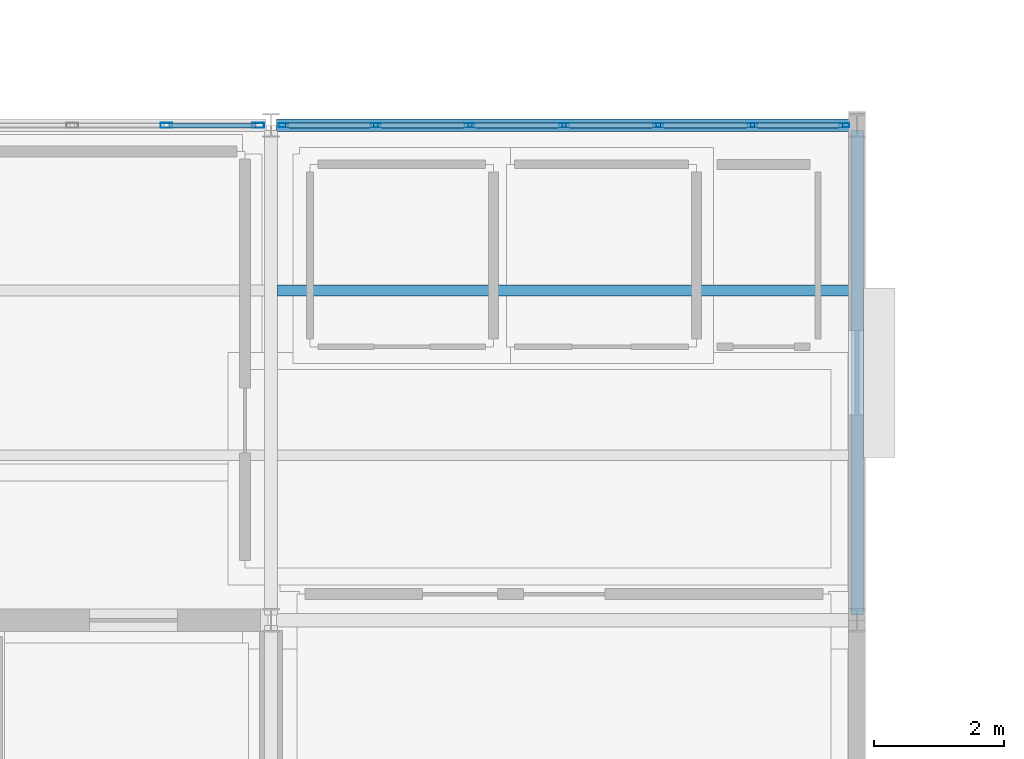
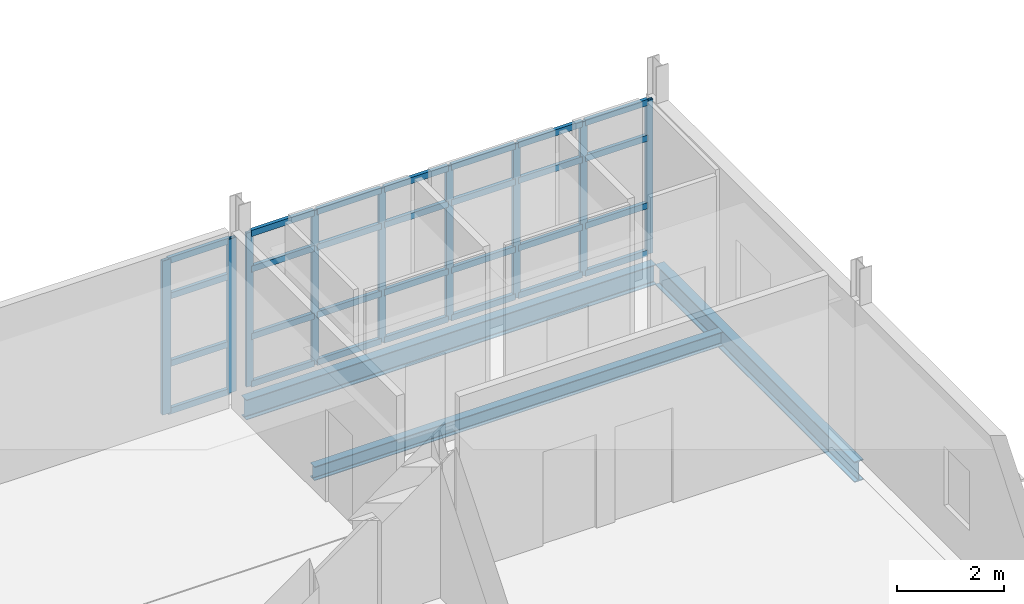
# One storey, part 29 of 96: 37 members, 3 beams, 2 elements without a shape of their own.
"""IFC4 building model written with IfcOpenShell, lengths in metres."""

import ifcopenshell
import ifcopenshell.guid

model = None  # the IFC model being written
_history = None  # IfcOwnerHistory: only IFC2X3 demands one
_inside = {}  # id of a spatial element -> (the spatial element, [elements in it])
_under = {}  # id of a project, library or spatial element -> (it, [spatial elements below it])
_declared = {}  # id of a project -> (the project, [libraries it declares])
_typed = {}  # id of a type object -> (the type object, [elements of that type])
_made_of = {}  # id of a material, layer set ... -> (it, [elements and type objects made of it])


def new_model(schema):
    """Start an empty IFC model of exactly this schema.

    Asked for "IFC4X3", IfcOpenShell would pick the latest addendum, in which some entities
    have other attributes; the version numbers below select the first issue.
    IFC2X3 requires an IfcOwnerHistory on every rooted entity: one is made here for all.
    """
    global model, _history
    if schema == "IFC4X3":
        model = ifcopenshell.file(schema_version=(4, 3, 0, 0))
    else:
        model = ifcopenshell.file(schema=schema)
    _inside.clear()
    _under.clear()
    _declared.clear()
    _typed.clear()
    _made_of.clear()
    _history = None
    if model.schema == "IFC2X3":
        org = make("IfcOrganization", Name="unknown")
        user = make(
            "IfcPersonAndOrganization",
            ThePerson=make("IfcPerson", FamilyName="unknown"),
            TheOrganization=org,
        )
        app = make(
            "IfcApplication",
            ApplicationDeveloper=org,
            Version="unknown",
            ApplicationFullName="unknown",
            ApplicationIdentifier="unknown",
        )
        _history = make(
            "IfcOwnerHistory",
            OwningUser=user,
            OwningApplication=app,
            ChangeAction="ADDED",
            CreationDate=0,
        )
    return model


def make(cls, **values):
    """One entity of the class cls with the attributes given. An attribute that is None is left unset."""
    return model.create_entity(
        cls, **{name: value for name, value in values.items() if value is not None}
    )


def rooted(cls, **values):
    """An entity with a GlobalId (a new one), such as an element, a storey or a relation."""
    return make(cls, GlobalId=ifcopenshell.guid.new(), OwnerHistory=_history, **values)


def si_unit(unit_type, name, prefix=None):
    """IfcSIUnit, for example si_unit("LENGTHUNIT", "METRE", prefix="MILLI")."""
    return make("IfcSIUnit", UnitType=unit_type, Prefix=prefix, Name=name)


def assignment(units):
    """IfcUnitAssignment: the units of a project."""
    return None if units is None else make("IfcUnitAssignment", Units=units)


def point(xyz):
    """IfcCartesianPoint."""
    return None if xyz is None else make("IfcCartesianPoint", Coordinates=xyz)


def direction(xyz):
    """IfcDirection."""
    return None if xyz is None else make("IfcDirection", DirectionRatios=xyz)


def frame(location, z_axis=None, x_axis=None):
    """IfcAxis2Placement3D, a coordinate frame: its origin and axes. An axis left out is left unset."""
    return make(
        "IfcAxis2Placement3D",
        Location=point(location),
        Axis=direction(z_axis),
        RefDirection=direction(x_axis),
    )


def frame_2d(location, x_axis=None):
    """IfcAxis2Placement2D, a coordinate frame in the plane: its origin and x axis."""
    return make(
        "IfcAxis2Placement2D", Location=point(location), RefDirection=direction(x_axis)
    )


def origin():
    """The frame at (0, 0, 0) with its axes left unset."""
    return frame((0.0, 0.0, 0.0))


def origin_2d():
    """The frame at (0, 0) in the plane with its x axis left unset."""
    return frame_2d((0.0, 0.0))


def place(relative_to, where):
    """IfcLocalPlacement: puts the frame where relative to a parent placement (None: the world)."""
    return make(
        "IfcLocalPlacement", PlacementRelTo=relative_to, RelativePlacement=where
    )


def context(
    kind, dimensions, precision=None, world=None, true_north=None, identifier=None
):
    """IfcGeometricRepresentationContext, for example the 3D "Model" context."""
    return make(
        "IfcGeometricRepresentationContext",
        ContextIdentifier=identifier,
        ContextType=kind,
        CoordinateSpaceDimension=dimensions,
        Precision=precision,
        WorldCoordinateSystem=world,
        TrueNorth=true_north,
    )


def subcontext(parent, identifier, kind, view, scale=None):
    """IfcGeometricRepresentationSubContext, for example "Body" below "Model"."""
    return make(
        "IfcGeometricRepresentationSubContext",
        ContextIdentifier=identifier,
        ContextType=kind,
        ParentContext=parent,
        TargetScale=scale,
        TargetView=view,
    )


def project(units=None, contexts=None):
    """IfcProject with its units and contexts."""
    return rooted(
        "IfcProject",
        Name="project",
        RepresentationContexts=contexts,
        UnitsInContext=assignment(units),
    )


def spatial(cls, under=None, at=None, **own):
    """A site, building, storey or space (cls), placed at a placement, below another one or the project."""
    s = rooted(cls, ObjectPlacement=at, **own)
    if under is not None:
        _under.setdefault(under.id(), (under, []))[1].append(s)
    return s


def profile(cls, at=None, kind="AREA", **sizes):
    """A parametric profile (cls). Its sizes go by their IFC names, for example OverallWidth=200.0."""
    return make(cls, ProfileType=kind, Position=at, **sizes)


def hollow_rectangle(**sizes):
    """IfcRectangleHollowProfileDef."""
    return profile("IfcRectangleHollowProfileDef", **sizes)


def i_section(**sizes):
    """IfcIShapeProfileDef."""
    return profile("IfcIShapeProfileDef", **sizes)


def extrude(swept, where, along, depth):
    """IfcExtrudedAreaSolid: the profile swept, set in the frame where, extruded along a direction by depth."""
    return make(
        "IfcExtrudedAreaSolid",
        SweptArea=swept,
        Position=where,
        ExtrudedDirection=direction(along),
        Depth=depth,
    )


def shape(context_of_items, identifier, shape_type, items):
    """IfcShapeRepresentation: the items that make up one representation, for example the "Body"."""
    return make(
        "IfcShapeRepresentation",
        ContextOfItems=context_of_items,
        RepresentationIdentifier=identifier,
        RepresentationType=shape_type,
        Items=items,
    )


def material(Name=None, Category=None):
    """IfcMaterial."""
    return make("IfcMaterial", Name=Name, Category=Category)


def material_profile(
    of_material, cross_section, Name=None, Category=None, Priority=None
):
    """IfcMaterialProfile: a cross section and its material."""
    return make(
        "IfcMaterialProfile",
        Name=Name,
        Material=of_material,
        Profile=cross_section,
        Priority=Priority,
        Category=Category,
    )


def profile_set(profiles, Name=None, composite=None):
    """IfcMaterialProfileSet."""
    return make(
        "IfcMaterialProfileSet",
        Name=Name,
        MaterialProfiles=profiles,
        CompositeProfile=composite,
    )


def made_of(thing, what):
    """Note that an element or type object is made of a material, layer set ...; save() writes the relation."""
    if what is not None:
        _made_of.setdefault(what.id(), (what, []))[1].append(thing)
    return thing


def type_object(cls, material=None, **own):
    """A type object (cls), such as IfcWallType, which elements share."""
    return made_of(rooted(cls, **own), material)


def element(
    cls,
    number,
    at=None,
    inside=None,
    cuts=None,
    type_object=None,
    material=None,
    context=None,
    identifier="Body",
    shape_type=None,
    held_by="IfcProductDefinitionShape",
    body=None,
    shapes=None,
    **own,
):
    """One element of the class cls, such as IfcWall. Its Tag is "e" and its number.

    at: its placement. inside: the storey or other place that contains it. cuts: it is an
    opening in that element (IfcRelVoidsElement). A single representation is given by context,
    identifier, shape_type and body (its items); several are given by shapes. held_by: the class
    of the entity that holds the representations. save() writes the other relations.
    """
    e = rooted(cls, Tag="e%d" % number, ObjectPlacement=at, **own)
    if body is not None:
        shapes = [shape(context, identifier, shape_type, body)]
    if shapes is not None:
        e.Representation = make(held_by, Representations=shapes)
    if inside is not None:
        _inside.setdefault(inside.id(), (inside, []))[1].append(e)
    if cuts is not None:
        rooted(
            "IfcRelVoidsElement", RelatingBuildingElement=cuts, RelatedOpeningElement=e
        )
    if type_object is not None:
        _typed.setdefault(type_object.id(), (type_object, []))[1].append(e)
    return made_of(e, material)


def aggregate(whole, parts):
    """IfcRelAggregates: a whole, such as a stair, and the parts it consists of."""
    return rooted("IfcRelAggregates", RelatingObject=whole, RelatedObjects=parts)


def save(model, path):
    """Write the relations noted so far, then the file.

    IfcRelAggregates (storeys below a building ...), IfcRelContainedInSpatialStructure (elements
    in a storey), IfcRelDefinesByType, IfcRelAssociatesMaterial and IfcRelDeclares: one each for
    every whole, place, type object, material and project.
    """
    for whole, parts in _under.values():
        aggregate(whole, parts)
    for where, things in _inside.values():
        rooted(
            "IfcRelContainedInSpatialStructure",
            RelatedElements=things,
            RelatingStructure=where,
        )
    for kind, things in _typed.values():
        rooted("IfcRelDefinesByType", RelatedObjects=things, RelatingType=kind)
    for what, things in _made_of.values():
        rooted("IfcRelAssociatesMaterial", RelatedObjects=things, RelatingMaterial=what)
    for by, libraries in _declared.values():
        rooted("IfcRelDeclares", RelatingContext=by, RelatedDefinitions=libraries)
    model.write(path)


model = new_model("IFC4")

# Units and contexts
model_context = context("Model", 3, precision=1e-05, world=origin(), true_north=direction((0.0, 1.0)))
body_context = subcontext(model_context, "Body", "Model", "MODEL_VIEW")
ifc_project = project(units=[si_unit("LENGTHUNIT", "METRE"), si_unit("AREAUNIT", "SQUARE_METRE"), si_unit("VOLUMEUNIT", "CUBIC_METRE"), si_unit("PLANEANGLEUNIT", "RADIAN"), si_unit("MASSUNIT", "GRAM", prefix="KILO")], contexts=[model_context])

# Site, building, storey
site_placement = place(None, origin())
site = spatial("IfcSite", under=ifc_project, at=site_placement, CompositionType="ELEMENT")
building_placement = place(site_placement, origin())
building = spatial("IfcBuilding", under=site, at=building_placement, Name="Caisbarro Railhouse Central Library", CompositionType="ELEMENT")
storey_placement = place(building_placement, frame((0.0, 0.0, 13.679931640625)))
storey = spatial("IfcBuildingStorey", under=building, at=storey_placement, Name="L03", CompositionType="ELEMENT", Elevation=13.679931640625)

# Beams
ifc_material_1 = material(Name="Steel ASTM A572 Grade 50", Category="steel")
ifc_material_profile_1 = material_profile(ifc_material_1, i_section(OverallWidth=0.194091796875, OverallDepth=0.468994140625, WebThickness=0.0126953125, FlangeThickness=0.0205078125, FilletRadius=0.01806640625, at=origin_2d()), Name="W460X106.0")
ifc_profile_set_1 = profile_set([ifc_material_profile_1], Name="Steel ASTM A572 Grade 50")
beam_type_1 = type_object("IfcBeamType", Name="BM-G07", PredefinedType="BEAM", material=ifc_profile_set_1)
beam_1_placement = place(storey_placement, frame((108.0, 15.280029296875, -0.474365234375), z_axis=(0.0, 1.0, 0.0), x_axis=(-1.0, 0.0, 0.0)))
element("IfcBeam", 1, at=beam_1_placement, inside=storey, type_object=beam_type_1, Name="G07 beam L03 #1799", PredefinedType="BEAM", context=body_context, shape_type="SweptSolid", body=[
    extrude(i_section(OverallWidth=0.194091796875, OverallDepth=0.468994140625, WebThickness=0.0126953125, FlangeThickness=0.0205078125, FilletRadius=0.01806640625, at=origin_2d()), origin(), (0.0, 0.0, 1.0), 7.43994140625),
])
ifc_material_profile_2 = material_profile(ifc_material_1, i_section(OverallWidth=0.1669921875, OverallDepth=0.31689453125, WebThickness=0.007568359375, FlangeThickness=0.01318359375, FilletRadius=0.011962890625, at=origin_2d()), Name="W310X52.0")
ifc_profile_set_2 = profile_set([ifc_material_profile_2], Name="Steel ASTM A572 Grade 50")
beam_type_2 = type_object("IfcBeamType", Name="BM-J02", PredefinedType="JOIST", material=ifc_profile_set_2)
beam_2_placement = place(storey_placement, frame((99.096923828125, 20.2666015625, -0.3984375), z_axis=(1.0, 0.0, 0.0), x_axis=(0.0, 1.0, 0.0)))
element("IfcBeam", 2, at=beam_2_placement, inside=storey, type_object=beam_type_2, Name="J02 beam L03 #1827", PredefinedType="JOIST", context=body_context, shape_type="SweptSolid", body=[
    extrude(i_section(OverallWidth=0.1669921875, OverallDepth=0.31689453125, WebThickness=0.007568359375, FlangeThickness=0.01318359375, FilletRadius=0.011962890625, at=origin_2d()), origin(), (0.0, 0.0, 1.0), 8.80615234375),
])
ifc_material_profile_3 = material_profile(ifc_material_1, i_section(OverallWidth=0.18994140625, OverallDepth=0.45703125, WebThickness=0.009033203125, FlangeThickness=0.014404296875, FilletRadius=0.01806640625, at=origin_2d()), Name="W460X74.0")
ifc_profile_set_3 = profile_set([ifc_material_profile_3], Name="Steel ASTM A572 Grade 50")
beam_type_3 = type_object("IfcBeamType", Name="BM-SP01", PredefinedType="SPANDREL", material=ifc_profile_set_3)
beam_3_placement = place(storey_placement, frame((99.080078125, 22.800048828125, -0.468505859375), z_axis=(1.0, 0.0, 0.0), x_axis=(0.0, 1.0, 0.0)))
element("IfcBeam", 3, at=beam_3_placement, inside=storey, type_object=beam_type_3, Name="SP01 beam L03 #1778", PredefinedType="SPANDREL", context=body_context, shape_type="SweptSolid", body=[
    extrude(i_section(OverallWidth=0.18994140625, OverallDepth=0.45703125, WebThickness=0.009033203125, FlangeThickness=0.014404296875, FilletRadius=0.01806640625, at=origin_2d()), origin(), (0.0, 0.0, 1.0), 8.83984375),
])

# Curtain wall, members
ifc_material_2 = material(Name="Anodised architectural aluminium", Category="aluminium")
curtain_wall_type = type_object("IfcCurtainWallType", Name="CW-CW02", PredefinedType="NOTDEFINED", material=ifc_material_2)
curtain_wall_1_placement = place(storey_placement, origin())
curtain_wall_1 = element("IfcCurtainWall", 4, at=curtain_wall_1_placement, inside=storey, type_object=curtain_wall_type, Name="CW02 curtain wall L03 #65", PredefinedType="NOTDEFINED")
ifc_material_profile_4 = material_profile(ifc_material_2, hollow_rectangle(XDim=0.074951171875, YDim=0.179931640625, WallThickness=0.00439453125, at=origin_2d()), Name="ALU-MUL-75X180")
ifc_profile_set_4 = profile_set([ifc_material_profile_4], Name="Anodised architectural aluminium")
member_type_1 = type_object("IfcMemberType", Name="CWM-M01", PredefinedType="MULLION", material=ifc_profile_set_4)
member_1_placement = place(storey_placement, frame((97.393310546875, 22.800048828125, 0.0), z_axis=(0.0, 0.0, 1.0), x_axis=(0.0, 1.0, 0.0)))
member_1 = element("IfcMember", 5, at=member_1_placement, type_object=member_type_1, Name="CW02 mullion 6", PredefinedType="MULLION", context=body_context, shape_type="SweptSolid", body=[
    extrude(hollow_rectangle(XDim=0.074951171875, YDim=0.179931640625, WallThickness=0.00439453125, at=origin_2d()), origin(), (0.0, 0.0, 1.0), 3.510009765625),
])
member_2_placement = place(storey_placement, frame((98.802490234375, 22.800048828125, 0.0), z_axis=(0.0, 0.0, 1.0), x_axis=(0.0, 1.0, 0.0)))
member_2 = element("IfcMember", 6, at=member_2_placement, type_object=member_type_1, Name="CW02 mullion 7", PredefinedType="MULLION", context=body_context, shape_type="SweptSolid", body=[
    extrude(hollow_rectangle(XDim=0.074951171875, YDim=0.179931640625, WallThickness=0.00439453125, at=origin_2d()), origin(), (0.0, 0.0, 1.0), 3.510009765625),
])

curtain_wall_2_placement = place(storey_placement, origin())
curtain_wall_2 = element("IfcCurtainWall", 7, at=curtain_wall_2_placement, inside=storey, type_object=curtain_wall_type, Name="CW02 curtain wall L03 #66", PredefinedType="NOTDEFINED")
ifc_material_profile_5 = material_profile(ifc_material_2, hollow_rectangle(XDim=0.06494140625, YDim=0.14990234375, WallThickness=0.00390625, at=origin_2d()), Name="ALU-MUL-65X150")
ifc_profile_set_5 = profile_set([ifc_material_profile_5], Name="Anodised architectural aluminium")
member_type_2 = type_object("IfcMemberType", Name="CWM-M02", PredefinedType="MULLION", material=ifc_profile_set_5)
member_3_placement = place(storey_placement, frame((99.1923828125, 22.800048828125, 0.0), z_axis=(0.0, 0.0, 1.0), x_axis=(0.0, 1.0, 0.0)))
member_3 = element("IfcMember", 8, at=member_3_placement, type_object=member_type_2, Name="CW02 mullion 1", PredefinedType="MULLION", context=body_context, shape_type="SweptSolid", body=[
    extrude(hollow_rectangle(XDim=0.06494140625, YDim=0.14990234375, WallThickness=0.00390625, at=origin_2d()), origin(), (0.0, 0.0, 1.0), 3.510009765625),
])
member_4_placement = place(storey_placement, frame((100.606689453125, 22.800048828125, 0.0), z_axis=(0.0, 0.0, 1.0), x_axis=(0.0, 1.0, 0.0)))
member_4 = element("IfcMember", 9, at=member_4_placement, type_object=member_type_2, Name="CW02 mullion 2", PredefinedType="MULLION", context=body_context, shape_type="SweptSolid", body=[
    extrude(hollow_rectangle(XDim=0.06494140625, YDim=0.14990234375, WallThickness=0.00390625, at=origin_2d()), origin(), (0.0, 0.0, 1.0), 3.510009765625),
])
member_5_placement = place(storey_placement, frame((102.05322265625, 22.800048828125, 0.0), z_axis=(0.0, 0.0, 1.0), x_axis=(0.0, 1.0, 0.0)))
member_5 = element("IfcMember", 10, at=member_5_placement, type_object=member_type_2, Name="CW02 mullion 3", PredefinedType="MULLION", context=body_context, shape_type="SweptSolid", body=[
    extrude(hollow_rectangle(XDim=0.06494140625, YDim=0.14990234375, WallThickness=0.00390625, at=origin_2d()), origin(), (0.0, 0.0, 1.0), 3.510009765625),
])
member_6_placement = place(storey_placement, frame((103.5, 22.800048828125, 0.0), z_axis=(0.0, 0.0, 1.0), x_axis=(0.0, 1.0, 0.0)))
member_6 = element("IfcMember", 11, at=member_6_placement, type_object=member_type_2, Name="CW02 mullion 4", PredefinedType="MULLION", context=body_context, shape_type="SweptSolid", body=[
    extrude(hollow_rectangle(XDim=0.06494140625, YDim=0.14990234375, WallThickness=0.00390625, at=origin_2d()), origin(), (0.0, 0.0, 1.0), 3.510009765625),
])
member_7_placement = place(storey_placement, frame((104.94677734375, 22.800048828125, 0.0), z_axis=(0.0, 0.0, 1.0), x_axis=(0.0, 1.0, 0.0)))
member_7 = element("IfcMember", 12, at=member_7_placement, type_object=member_type_2, Name="CW02 mullion 5", PredefinedType="MULLION", context=body_context, shape_type="SweptSolid", body=[
    extrude(hollow_rectangle(XDim=0.06494140625, YDim=0.14990234375, WallThickness=0.00390625, at=origin_2d()), origin(), (0.0, 0.0, 1.0), 3.510009765625),
])
member_8_placement = place(storey_placement, frame((106.393310546875, 22.800048828125, 0.0), z_axis=(0.0, 0.0, 1.0), x_axis=(0.0, 1.0, 0.0)))
member_8 = element("IfcMember", 13, at=member_8_placement, type_object=member_type_2, Name="CW02 mullion 6", PredefinedType="MULLION", context=body_context, shape_type="SweptSolid", body=[
    extrude(hollow_rectangle(XDim=0.06494140625, YDim=0.14990234375, WallThickness=0.00390625, at=origin_2d()), origin(), (0.0, 0.0, 1.0), 3.510009765625),
])
member_9_placement = place(storey_placement, frame((107.8076171875, 22.800048828125, 0.0), z_axis=(0.0, 0.0, 1.0), x_axis=(0.0, 1.0, 0.0)))
member_9 = element("IfcMember", 14, at=member_9_placement, type_object=member_type_2, Name="CW02 mullion 7", PredefinedType="MULLION", context=body_context, shape_type="SweptSolid", body=[
    extrude(hollow_rectangle(XDim=0.06494140625, YDim=0.14990234375, WallThickness=0.00390625, at=origin_2d()), origin(), (0.0, 0.0, 1.0), 3.510009765625),
])

# Member
ifc_material_profile_6 = material_profile(ifc_material_2, hollow_rectangle(XDim=0.074951171875, YDim=0.139892578125, WallThickness=0.00390625, at=origin_2d()), Name="ALU-TRN-75X140")
ifc_profile_set_6 = profile_set([ifc_material_profile_6], Name="Anodised architectural aluminium")
member_type_3 = type_object("IfcMemberType", Name="CWT-T01", PredefinedType="USERDEFINED", material=ifc_profile_set_6)
member_10_placement = place(storey_placement, frame((97.430908203125, 22.800048828125, 0.03759765625), z_axis=(1.0, 0.0, 0.0), x_axis=(0.0, 1.0, 0.0)))
member_10 = element("IfcMember", 15, at=member_10_placement, type_object=member_type_3, Name="CW02 transom 6.1", ObjectType="TRANSOM", PredefinedType="USERDEFINED", context=body_context, shape_type="SweptSolid", body=[
    extrude(hollow_rectangle(XDim=0.074951171875, YDim=0.139892578125, WallThickness=0.00390625, at=origin_2d()), origin(), (0.0, 0.0, 1.0), 1.333984375),
])

member_11_placement = place(storey_placement, frame((97.430908203125, 22.800048828125, 1.1201171875), z_axis=(1.0, 0.0, 0.0), x_axis=(0.0, 1.0, 0.0)))
member_11 = element("IfcMember", 16, at=member_11_placement, type_object=member_type_3, Name="CW02 transom 6.2", ObjectType="TRANSOM", PredefinedType="USERDEFINED", context=body_context, shape_type="SweptSolid", body=[
    extrude(hollow_rectangle(XDim=0.074951171875, YDim=0.139892578125, WallThickness=0.00390625, at=origin_2d()), origin(), (0.0, 0.0, 1.0), 1.333984375),
])

member_12_placement = place(storey_placement, frame((97.430908203125, 22.800048828125, 2.66015625), z_axis=(1.0, 0.0, 0.0), x_axis=(0.0, 1.0, 0.0)))
member_12 = element("IfcMember", 17, at=member_12_placement, type_object=member_type_3, Name="CW02 transom 6.3", ObjectType="TRANSOM", PredefinedType="USERDEFINED", context=body_context, shape_type="SweptSolid", body=[
    extrude(hollow_rectangle(XDim=0.074951171875, YDim=0.139892578125, WallThickness=0.00390625, at=origin_2d()), origin(), (0.0, 0.0, 1.0), 1.333984375),
])

member_13_placement = place(storey_placement, frame((97.430908203125, 22.800048828125, 3.47265625), z_axis=(1.0, 0.0, 0.0), x_axis=(0.0, 1.0, 0.0)))
member_13 = element("IfcMember", 18, at=member_13_placement, type_object=member_type_3, Name="CW02 transom 6.4", ObjectType="TRANSOM", PredefinedType="USERDEFINED", context=body_context, shape_type="SweptSolid", body=[
    extrude(hollow_rectangle(XDim=0.074951171875, YDim=0.139892578125, WallThickness=0.00390625, at=origin_2d()), origin(), (0.0, 0.0, 1.0), 1.333984375),
])

aggregate(curtain_wall_1, [member_1, member_2, member_10, member_11, member_12, member_13])

member_14_placement = place(storey_placement, frame((99.22509765625, 22.800048828125, 0.03759765625), z_axis=(1.0, 0.0, 0.0), x_axis=(0.0, 1.0, 0.0)))
member_14 = element("IfcMember", 19, at=member_14_placement, type_object=member_type_3, Name="CW02 transom 1.1", ObjectType="TRANSOM", PredefinedType="USERDEFINED", context=body_context, shape_type="SweptSolid", body=[
    extrude(hollow_rectangle(XDim=0.074951171875, YDim=0.139892578125, WallThickness=0.00390625, at=origin_2d()), origin(), (0.0, 0.0, 1.0), 1.34912109375),
])

member_15_placement = place(storey_placement, frame((99.22509765625, 22.800048828125, 1.1201171875), z_axis=(1.0, 0.0, 0.0), x_axis=(0.0, 1.0, 0.0)))
member_15 = element("IfcMember", 20, at=member_15_placement, type_object=member_type_3, Name="CW02 transom 1.2", ObjectType="TRANSOM", PredefinedType="USERDEFINED", context=body_context, shape_type="SweptSolid", body=[
    extrude(hollow_rectangle(XDim=0.074951171875, YDim=0.139892578125, WallThickness=0.00390625, at=origin_2d()), origin(), (0.0, 0.0, 1.0), 1.34912109375),
])

member_16_placement = place(storey_placement, frame((99.22509765625, 22.800048828125, 2.66015625), z_axis=(1.0, 0.0, 0.0), x_axis=(0.0, 1.0, 0.0)))
member_16 = element("IfcMember", 21, at=member_16_placement, type_object=member_type_3, Name="CW02 transom 1.3", ObjectType="TRANSOM", PredefinedType="USERDEFINED", context=body_context, shape_type="SweptSolid", body=[
    extrude(hollow_rectangle(XDim=0.074951171875, YDim=0.139892578125, WallThickness=0.00390625, at=origin_2d()), origin(), (0.0, 0.0, 1.0), 1.34912109375),
])

member_17_placement = place(storey_placement, frame((99.22509765625, 22.800048828125, 3.47265625), z_axis=(1.0, 0.0, 0.0), x_axis=(0.0, 1.0, 0.0)))
member_17 = element("IfcMember", 22, at=member_17_placement, type_object=member_type_3, Name="CW02 transom 1.4", ObjectType="TRANSOM", PredefinedType="USERDEFINED", context=body_context, shape_type="SweptSolid", body=[
    extrude(hollow_rectangle(XDim=0.074951171875, YDim=0.139892578125, WallThickness=0.00390625, at=origin_2d()), origin(), (0.0, 0.0, 1.0), 1.34912109375),
])

member_18_placement = place(storey_placement, frame((100.63916015625, 22.800048828125, 0.03759765625), z_axis=(1.0, 0.0, 0.0), x_axis=(0.0, 1.0, 0.0)))
member_18 = element("IfcMember", 23, at=member_18_placement, type_object=member_type_3, Name="CW02 transom 2.1", ObjectType="TRANSOM", PredefinedType="USERDEFINED", context=body_context, shape_type="SweptSolid", body=[
    extrude(hollow_rectangle(XDim=0.074951171875, YDim=0.139892578125, WallThickness=0.00390625, at=origin_2d()), origin(), (0.0, 0.0, 1.0), 1.381591796875),
])

member_19_placement = place(storey_placement, frame((100.63916015625, 22.800048828125, 1.1201171875), z_axis=(1.0, 0.0, 0.0), x_axis=(0.0, 1.0, 0.0)))
member_19 = element("IfcMember", 24, at=member_19_placement, type_object=member_type_3, Name="CW02 transom 2.2", ObjectType="TRANSOM", PredefinedType="USERDEFINED", context=body_context, shape_type="SweptSolid", body=[
    extrude(hollow_rectangle(XDim=0.074951171875, YDim=0.139892578125, WallThickness=0.00390625, at=origin_2d()), origin(), (0.0, 0.0, 1.0), 1.381591796875),
])

member_20_placement = place(storey_placement, frame((100.63916015625, 22.800048828125, 2.66015625), z_axis=(1.0, 0.0, 0.0), x_axis=(0.0, 1.0, 0.0)))
member_20 = element("IfcMember", 25, at=member_20_placement, type_object=member_type_3, Name="CW02 transom 2.3", ObjectType="TRANSOM", PredefinedType="USERDEFINED", context=body_context, shape_type="SweptSolid", body=[
    extrude(hollow_rectangle(XDim=0.074951171875, YDim=0.139892578125, WallThickness=0.00390625, at=origin_2d()), origin(), (0.0, 0.0, 1.0), 1.381591796875),
])

member_21_placement = place(storey_placement, frame((100.63916015625, 22.800048828125, 3.47265625), z_axis=(1.0, 0.0, 0.0), x_axis=(0.0, 1.0, 0.0)))
member_21 = element("IfcMember", 26, at=member_21_placement, type_object=member_type_3, Name="CW02 transom 2.4", ObjectType="TRANSOM", PredefinedType="USERDEFINED", context=body_context, shape_type="SweptSolid", body=[
    extrude(hollow_rectangle(XDim=0.074951171875, YDim=0.139892578125, WallThickness=0.00390625, at=origin_2d()), origin(), (0.0, 0.0, 1.0), 1.381591796875),
])

member_22_placement = place(storey_placement, frame((102.0859375, 22.800048828125, 0.03759765625), z_axis=(1.0, 0.0, 0.0), x_axis=(0.0, 1.0, 0.0)))
member_22 = element("IfcMember", 27, at=member_22_placement, type_object=member_type_3, Name="CW02 transom 3.1", ObjectType="TRANSOM", PredefinedType="USERDEFINED", context=body_context, shape_type="SweptSolid", body=[
    extrude(hollow_rectangle(XDim=0.074951171875, YDim=0.139892578125, WallThickness=0.00390625, at=origin_2d()), origin(), (0.0, 0.0, 1.0), 1.381591796875),
])

member_23_placement = place(storey_placement, frame((102.0859375, 22.800048828125, 1.1201171875), z_axis=(1.0, 0.0, 0.0), x_axis=(0.0, 1.0, 0.0)))
member_23 = element("IfcMember", 28, at=member_23_placement, type_object=member_type_3, Name="CW02 transom 3.2", ObjectType="TRANSOM", PredefinedType="USERDEFINED", context=body_context, shape_type="SweptSolid", body=[
    extrude(hollow_rectangle(XDim=0.074951171875, YDim=0.139892578125, WallThickness=0.00390625, at=origin_2d()), origin(), (0.0, 0.0, 1.0), 1.381591796875),
])

member_24_placement = place(storey_placement, frame((102.0859375, 22.800048828125, 2.66015625), z_axis=(1.0, 0.0, 0.0), x_axis=(0.0, 1.0, 0.0)))
member_24 = element("IfcMember", 29, at=member_24_placement, type_object=member_type_3, Name="CW02 transom 3.3", ObjectType="TRANSOM", PredefinedType="USERDEFINED", context=body_context, shape_type="SweptSolid", body=[
    extrude(hollow_rectangle(XDim=0.074951171875, YDim=0.139892578125, WallThickness=0.00390625, at=origin_2d()), origin(), (0.0, 0.0, 1.0), 1.381591796875),
])

member_25_placement = place(storey_placement, frame((102.0859375, 22.800048828125, 3.47265625), z_axis=(1.0, 0.0, 0.0), x_axis=(0.0, 1.0, 0.0)))
member_25 = element("IfcMember", 30, at=member_25_placement, type_object=member_type_3, Name="CW02 transom 3.4", ObjectType="TRANSOM", PredefinedType="USERDEFINED", context=body_context, shape_type="SweptSolid", body=[
    extrude(hollow_rectangle(XDim=0.074951171875, YDim=0.139892578125, WallThickness=0.00390625, at=origin_2d()), origin(), (0.0, 0.0, 1.0), 1.381591796875),
])

member_26_placement = place(storey_placement, frame((103.532470703125, 22.800048828125, 0.03759765625), z_axis=(1.0, 0.0, 0.0), x_axis=(0.0, 1.0, 0.0)))
member_26 = element("IfcMember", 31, at=member_26_placement, type_object=member_type_3, Name="CW02 transom 4.1", ObjectType="TRANSOM", PredefinedType="USERDEFINED", context=body_context, shape_type="SweptSolid", body=[
    extrude(hollow_rectangle(XDim=0.074951171875, YDim=0.139892578125, WallThickness=0.00390625, at=origin_2d()), origin(), (0.0, 0.0, 1.0), 1.381591796875),
])

member_27_placement = place(storey_placement, frame((103.532470703125, 22.800048828125, 1.1201171875), z_axis=(1.0, 0.0, 0.0), x_axis=(0.0, 1.0, 0.0)))
member_27 = element("IfcMember", 32, at=member_27_placement, type_object=member_type_3, Name="CW02 transom 4.2", ObjectType="TRANSOM", PredefinedType="USERDEFINED", context=body_context, shape_type="SweptSolid", body=[
    extrude(hollow_rectangle(XDim=0.074951171875, YDim=0.139892578125, WallThickness=0.00390625, at=origin_2d()), origin(), (0.0, 0.0, 1.0), 1.381591796875),
])

member_28_placement = place(storey_placement, frame((103.532470703125, 22.800048828125, 2.66015625), z_axis=(1.0, 0.0, 0.0), x_axis=(0.0, 1.0, 0.0)))
member_28 = element("IfcMember", 33, at=member_28_placement, type_object=member_type_3, Name="CW02 transom 4.3", ObjectType="TRANSOM", PredefinedType="USERDEFINED", context=body_context, shape_type="SweptSolid", body=[
    extrude(hollow_rectangle(XDim=0.074951171875, YDim=0.139892578125, WallThickness=0.00390625, at=origin_2d()), origin(), (0.0, 0.0, 1.0), 1.381591796875),
])

member_29_placement = place(storey_placement, frame((103.532470703125, 22.800048828125, 3.47265625), z_axis=(1.0, 0.0, 0.0), x_axis=(0.0, 1.0, 0.0)))
member_29 = element("IfcMember", 34, at=member_29_placement, type_object=member_type_3, Name="CW02 transom 4.4", ObjectType="TRANSOM", PredefinedType="USERDEFINED", context=body_context, shape_type="SweptSolid", body=[
    extrude(hollow_rectangle(XDim=0.074951171875, YDim=0.139892578125, WallThickness=0.00390625, at=origin_2d()), origin(), (0.0, 0.0, 1.0), 1.381591796875),
])

member_30_placement = place(storey_placement, frame((104.979248046875, 22.800048828125, 0.03759765625), z_axis=(1.0, 0.0, 0.0), x_axis=(0.0, 1.0, 0.0)))
member_30 = element("IfcMember", 35, at=member_30_placement, type_object=member_type_3, Name="CW02 transom 5.1", ObjectType="TRANSOM", PredefinedType="USERDEFINED", context=body_context, shape_type="SweptSolid", body=[
    extrude(hollow_rectangle(XDim=0.074951171875, YDim=0.139892578125, WallThickness=0.00390625, at=origin_2d()), origin(), (0.0, 0.0, 1.0), 1.381591796875),
])

member_31_placement = place(storey_placement, frame((104.979248046875, 22.800048828125, 1.1201171875), z_axis=(1.0, 0.0, 0.0), x_axis=(0.0, 1.0, 0.0)))
member_31 = element("IfcMember", 36, at=member_31_placement, type_object=member_type_3, Name="CW02 transom 5.2", ObjectType="TRANSOM", PredefinedType="USERDEFINED", context=body_context, shape_type="SweptSolid", body=[
    extrude(hollow_rectangle(XDim=0.074951171875, YDim=0.139892578125, WallThickness=0.00390625, at=origin_2d()), origin(), (0.0, 0.0, 1.0), 1.381591796875),
])

member_32_placement = place(storey_placement, frame((104.979248046875, 22.800048828125, 2.66015625), z_axis=(1.0, 0.0, 0.0), x_axis=(0.0, 1.0, 0.0)))
member_32 = element("IfcMember", 37, at=member_32_placement, type_object=member_type_3, Name="CW02 transom 5.3", ObjectType="TRANSOM", PredefinedType="USERDEFINED", context=body_context, shape_type="SweptSolid", body=[
    extrude(hollow_rectangle(XDim=0.074951171875, YDim=0.139892578125, WallThickness=0.00390625, at=origin_2d()), origin(), (0.0, 0.0, 1.0), 1.381591796875),
])

member_33_placement = place(storey_placement, frame((104.979248046875, 22.800048828125, 3.47265625), z_axis=(1.0, 0.0, 0.0), x_axis=(0.0, 1.0, 0.0)))
member_33 = element("IfcMember", 38, at=member_33_placement, type_object=member_type_3, Name="CW02 transom 5.4", ObjectType="TRANSOM", PredefinedType="USERDEFINED", context=body_context, shape_type="SweptSolid", body=[
    extrude(hollow_rectangle(XDim=0.074951171875, YDim=0.139892578125, WallThickness=0.00390625, at=origin_2d()), origin(), (0.0, 0.0, 1.0), 1.381591796875),
])

member_34_placement = place(storey_placement, frame((106.42578125, 22.800048828125, 0.03759765625), z_axis=(1.0, 0.0, 0.0), x_axis=(0.0, 1.0, 0.0)))
member_34 = element("IfcMember", 39, at=member_34_placement, type_object=member_type_3, Name="CW02 transom 6.1", ObjectType="TRANSOM", PredefinedType="USERDEFINED", context=body_context, shape_type="SweptSolid", body=[
    extrude(hollow_rectangle(XDim=0.074951171875, YDim=0.139892578125, WallThickness=0.00390625, at=origin_2d()), origin(), (0.0, 0.0, 1.0), 1.34912109375),
])

member_35_placement = place(storey_placement, frame((106.42578125, 22.800048828125, 1.1201171875), z_axis=(1.0, 0.0, 0.0), x_axis=(0.0, 1.0, 0.0)))
member_35 = element("IfcMember", 40, at=member_35_placement, type_object=member_type_3, Name="CW02 transom 6.2", ObjectType="TRANSOM", PredefinedType="USERDEFINED", context=body_context, shape_type="SweptSolid", body=[
    extrude(hollow_rectangle(XDim=0.074951171875, YDim=0.139892578125, WallThickness=0.00390625, at=origin_2d()), origin(), (0.0, 0.0, 1.0), 1.34912109375),
])

member_36_placement = place(storey_placement, frame((106.42578125, 22.800048828125, 2.66015625), z_axis=(1.0, 0.0, 0.0), x_axis=(0.0, 1.0, 0.0)))
member_36 = element("IfcMember", 41, at=member_36_placement, type_object=member_type_3, Name="CW02 transom 6.3", ObjectType="TRANSOM", PredefinedType="USERDEFINED", context=body_context, shape_type="SweptSolid", body=[
    extrude(hollow_rectangle(XDim=0.074951171875, YDim=0.139892578125, WallThickness=0.00390625, at=origin_2d()), origin(), (0.0, 0.0, 1.0), 1.34912109375),
])

member_37_placement = place(storey_placement, frame((106.42578125, 22.800048828125, 3.47265625), z_axis=(1.0, 0.0, 0.0), x_axis=(0.0, 1.0, 0.0)))
member_37 = element("IfcMember", 42, at=member_37_placement, type_object=member_type_3, Name="CW02 transom 6.4", ObjectType="TRANSOM", PredefinedType="USERDEFINED", context=body_context, shape_type="SweptSolid", body=[
    extrude(hollow_rectangle(XDim=0.074951171875, YDim=0.139892578125, WallThickness=0.00390625, at=origin_2d()), origin(), (0.0, 0.0, 1.0), 1.34912109375),
])

aggregate(curtain_wall_2, [member_3, member_4, member_5, member_6, member_7, member_8, member_9, member_14, member_15, member_16, member_17, member_18, member_19, member_20, member_21, member_22, member_23, member_24, member_25, member_26, member_27, member_28, member_29, member_30, member_31, member_32, member_33, member_34, member_35, member_36, member_37])

save(model, "model.ifc")
